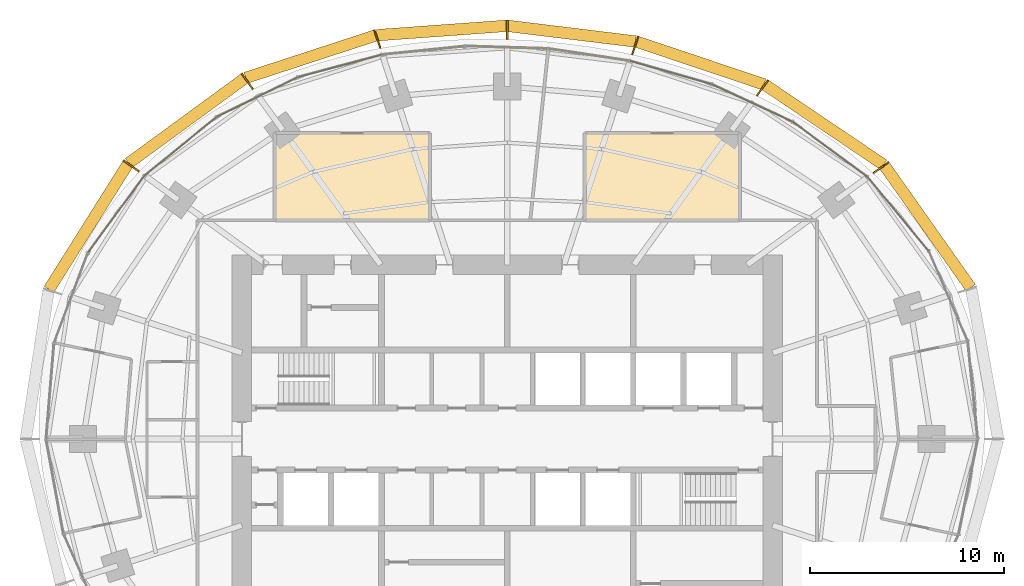
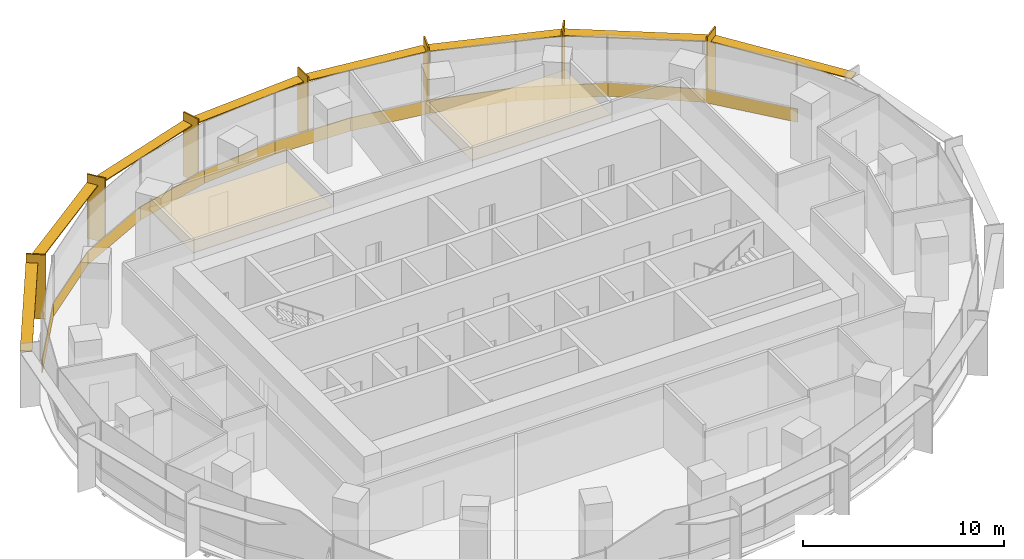
# One storey, part 14 of 14: 15 shading devices, 13 coverings.
"""IFC4 building model written with IfcOpenShell, lengths in metres."""

from ifc_helpers import new_model, si_unit, direction, frame, origin, origin_2d, place, context, subcontext, project, spatial, polyline, rectangle, outline, extrude, material, layer, layer_set, type_object, element, save


model = new_model("IFC4")

# Units and contexts
model_context = context("Model", 3, precision=1e-05, world=origin(), true_north=direction((0.0, 1.0)))
body_context = subcontext(model_context, "Body", "Model", "MODEL_VIEW")
ifc_project = project(units=[si_unit("LENGTHUNIT", "METRE"), si_unit("AREAUNIT", "SQUARE_METRE"), si_unit("VOLUMEUNIT", "CUBIC_METRE"), si_unit("PLANEANGLEUNIT", "RADIAN"), si_unit("MASSUNIT", "GRAM", prefix="KILO")], contexts=[model_context])

# Site, building, storey
site_placement = place(None, origin())
site = spatial("IfcSite", under=ifc_project, at=site_placement, CompositionType="ELEMENT")
building_placement = place(site_placement, origin())
building = spatial("IfcBuilding", under=site, at=building_placement, Name="Marramba Exchange Tower", CompositionType="ELEMENT")
storey_placement = place(building_placement, frame((0.0, 0.0, 179.89990234375)))
storey = spatial("IfcBuildingStorey", under=building, at=storey_placement, Name="L43", CompositionType="ELEMENT", Elevation=179.89990234375)

# Shading devices
ifc_material_1 = material(Name="Aluminium blade, timber-look bronze finish", Category="wood")
ifc_layer_1 = layer(ifc_material_1, 0.080078125)
ifc_layer_set_1 = layer_set([ifc_layer_1], Name="Floor-edge blade 1000x80")
shading_device_type_1 = type_object("IfcShadingDeviceType", Name="Floor-edge blade 1000x80", PredefinedType="USERDEFINED", material=ifc_layer_set_1)
for number, where, z_axis, x_axis, name in (
    (1, (19.298828125, 14.021484375, -0.159912109375), (0.0, 0.0, 1.0), (0.809016994375, 0.587785252292, 0.0), "Floor-edge blade FB1 L43 TC03"),
    (2, (13.176513671875, 18.135986328125, -0.159912109375), (0.0, 0.0, 1.0), (0.587785252292, 0.809016994375, 0.0), "Floor-edge blade FB1 L43 TC04"),
    (3, (6.605712890625, 20.330078125, -0.159912109375), (0.0, 0.0, 1.0), (0.309016994375, 0.951056516295, 0.0), "Floor-edge blade FB1 L43 TC05"),
    (4, (0.0, 21.13623046875, -0.159912109375), (0.0, 0.0, 1.0), (0.0, 1.0, 0.0), "Floor-edge blade FB1 L43 TC06"),
    (5, (-6.7119140625, 20.657470703125, -0.159912109375), (0.0, 0.0, 1.0), (-0.309016994375, 0.951056516295, 0.0), "Floor-edge blade FB1 L43 TC07"),
    (6, (-13.422607421875, 18.474609375, -0.159912109375), (0.0, 0.0, 1.0), (-0.587785252292, 0.809016994375, 0.0), "Floor-edge blade FB1 L43 TC08"),
    (7, (-19.4140625, 14.105224609375, -0.159912109375), (0.0, 0.0, 1.0), (-0.809016994375, 0.587785252292, 0.0), "Floor-edge blade FB1 L43 TC09"),
):
    element("IfcShadingDevice", number, at=place(storey_placement, frame(where, z_axis=z_axis, x_axis=x_axis)), inside=storey, type_object=shading_device_type_1, Name=name, ObjectType="FIN", PredefinedType="USERDEFINED", context=body_context, shape_type="SweptSolid", body=[
        extrude(rectangle(XDim=1.0, YDim=0.080078125, at=origin_2d()), origin(), (0.0, 0.0, 1.0), 3.89990234375),
    ])
ifc_material_2 = material(Name="Aluminium sunshade, bronze anodised", Category="aluminium")
ifc_layer_2 = layer(ifc_material_2, 0.06005859375)
ifc_layer_set_2 = layer_set([ifc_layer_2], Name="SUNSHADE blade 600x60")
shading_device_type_2 = type_object("IfcShadingDeviceType", Name="SUNSHADE blade 600x60", PredefinedType="USERDEFINED", material=ifc_layer_set_2)
shading_device_1_placement = place(storey_placement, frame((21.703857421875, 10.9599609375, 3.16015625), z_axis=(0.0, 0.0, 1.0), x_axis=(-0.576555118613, 0.81705825692, 0.0)))
element("IfcShadingDevice", 8, at=shading_device_1_placement, inside=storey, type_object=shading_device_type_2, Name="Sunshade SS1 L43 bay 02", ObjectType="SUNSHADE", PredefinedType="USERDEFINED", context=body_context, shape_type="SweptSolid", body=[
    extrude(rectangle(XDim=7.70166015625, YDim=0.60009765625, at=origin_2d()), origin(), (0.0, 0.0, 1.0), 0.06005859375),
])
shading_device_2_placement = place(storey_placement, frame((16.37744140625, 16.218505859375, 3.16015625), z_axis=(0.0, 0.0, 1.0), x_axis=(-0.829071447151, 0.559142679035, 0.0)))
element("IfcShadingDevice", 9, at=shading_device_2_placement, inside=storey, type_object=shading_device_type_2, Name="Sunshade SS1 L43 bay 03", ObjectType="SUNSHADE", PredefinedType="USERDEFINED", context=body_context, shape_type="SweptSolid", body=[
    extrude(rectangle(XDim=7.35791015625, YDim=0.60009765625, at=origin_2d()), origin(), (0.0, 0.0, 1.0), 0.06005859375),
])
shading_device_3_placement = place(storey_placement, frame((9.980712890625, 19.4091796875, 3.16015625), z_axis=(0.0, 0.0, 1.0), x_axis=(-0.948096437223, 0.317982933073, 0.0)))
element("IfcShadingDevice", 10, at=shading_device_3_placement, inside=storey, type_object=shading_device_type_2, Name="Sunshade SS1 L43 bay 04", ObjectType="SUNSHADE", PredefinedType="USERDEFINED", context=body_context, shape_type="SweptSolid", body=[
    extrude(rectangle(XDim=6.909423828125, YDim=0.60009765625, at=origin_2d()), origin(), (0.0, 0.0, 1.0), 0.06005859375),
])
shading_device_4_placement = place(storey_placement, frame((3.333740234375, 20.92822265625, 3.16015625), z_axis=(0.0, 0.0, 1.0), x_axis=(-0.992595256045, 0.121468751853, 0.0)))
element("IfcShadingDevice", 11, at=shading_device_4_placement, inside=storey, type_object=shading_device_type_2, Name="Sunshade SS1 L43 bay 05", ObjectType="SUNSHADE", PredefinedType="USERDEFINED", context=body_context, shape_type="SweptSolid", body=[
    extrude(rectangle(XDim=6.63720703125, YDim=0.60009765625, at=origin_2d()), origin(), (0.0, 0.0, 1.0), 0.06005859375),
])
shading_device_5_placement = place(storey_placement, frame((-3.386962890625, 21.092041015625, 3.16015625), z_axis=(0.0, 0.0, 1.0), x_axis=(-0.997407641713, -0.071958295234, 0.0)))
element("IfcShadingDevice", 12, at=shading_device_5_placement, inside=storey, type_object=shading_device_type_2, Name="Sunshade SS1 L43 bay 06", ObjectType="SUNSHADE", PredefinedType="USERDEFINED", context=body_context, shape_type="SweptSolid", body=[
    extrude(rectangle(XDim=6.71142578125, YDim=0.60009765625, at=origin_2d()), origin(), (0.0, 0.0, 1.0), 0.06005859375),
])
shading_device_6_placement = place(storey_placement, frame((-10.156982421875, 19.741943359375, 3.16015625), z_axis=(0.0, 0.0, 1.0), x_axis=(-0.950537602937, -0.310609506297, 0.0)))
element("IfcShadingDevice", 13, at=shading_device_6_placement, inside=storey, type_object=shading_device_type_2, Name="Sunshade SS1 L43 bay 07", ObjectType="SUNSHADE", PredefinedType="USERDEFINED", context=body_context, shape_type="SweptSolid", body=[
    extrude(rectangle(XDim=7.03857421875, YDim=0.60009765625, at=origin_2d()), origin(), (0.0, 0.0, 1.0), 0.06005859375),
])
shading_device_7_placement = place(storey_placement, frame((-16.55810546875, 16.4296875, 3.16015625), z_axis=(0.0, 0.0, 1.0), x_axis=(-0.80719390073, -0.59028637679, 0.0)))
element("IfcShadingDevice", 14, at=shading_device_7_placement, inside=storey, type_object=shading_device_type_2, Name="Sunshade SS1 L43 bay 08", ObjectType="SUNSHADE", PredefinedType="USERDEFINED", context=body_context, shape_type="SweptSolid", body=[
    extrude(rectangle(XDim=7.3974609375, YDim=0.60009765625, at=origin_2d()), origin(), (0.0, 0.0, 1.0), 0.06005859375),
])
shading_device_8_placement = place(storey_placement, frame((-21.62744140625, 10.958251953125, 3.16015625), z_axis=(0.0, 0.0, 1.0), x_axis=(-0.532082259983, -0.846692664792, 0.0)))
element("IfcShadingDevice", 15, at=shading_device_8_placement, inside=storey, type_object=shading_device_type_2, Name="Sunshade SS1 L43 bay 09", ObjectType="SUNSHADE", PredefinedType="USERDEFINED", context=body_context, shape_type="SweptSolid", body=[
    extrude(rectangle(XDim=7.631103515625, YDim=0.60009765625, at=origin_2d()), origin(), (0.0, 0.0, 1.0), 0.06005859375),
])

# Coverings
ifc_material_3 = material(Name="Aluminium spandrel panel, bronze anodised, insulated", Category="aluminium")
ifc_layer_3 = layer(ifc_material_3, 0.050048828125)
ifc_layer_set_3 = layer_set([ifc_layer_3], Name="Spandrel panel 800")
covering_type_1 = type_object("IfcCoveringType", Name="Spandrel panel 800", PredefinedType="CLADDING", material=ifc_layer_set_3)
covering_1_placement = place(storey_placement, frame((20.193603515625, 11.608642578125, 0.0), z_axis=(0.0, 0.0, 1.0), x_axis=(-0.637350224586, 0.770574260678, 0.0)))
element("IfcCovering", 16, at=covering_1_placement, inside=storey, type_object=covering_type_1, Name="Spandrel panel SP1 L43 F03", PredefinedType="CLADDING", context=body_context, shape_type="SweptSolid", body=[
    extrude(rectangle(XDim=4.9658203125, YDim=0.050048828125, at=origin_2d()), origin(), (0.0, 0.0, 1.0), 0.800048828125),
])
covering_2_placement = place(storey_placement, frame((16.677001953125, 14.94775390625, 0.0), z_axis=(0.0, 0.0, 1.0), x_axis=(-0.804877256733, 0.593441321104, 0.0)))
element("IfcCovering", 17, at=covering_2_placement, inside=storey, type_object=covering_type_1, Name="Spandrel panel SP1 L43 F04", PredefinedType="CLADDING", context=body_context, shape_type="SweptSolid", body=[
    extrude(rectangle(XDim=4.805908203125, YDim=0.050048828125, at=origin_2d()), origin(), (0.0, 0.0, 1.0), 0.800048828125),
])
covering_3_placement = place(storey_placement, frame((12.65869140625, 17.344482421875, 0.0), z_axis=(0.0, 0.0, 1.0), x_axis=(-0.906533903661, 0.422133014005, 0.0)))
element("IfcCovering", 18, at=covering_3_placement, inside=storey, type_object=covering_type_1, Name="Spandrel panel SP1 L43 F05", PredefinedType="CLADDING", context=body_context, shape_type="SweptSolid", body=[
    extrude(rectangle(XDim=4.5986328125, YDim=0.050048828125, at=origin_2d()), origin(), (0.0, 0.0, 1.0), 0.800048828125),
])
covering_4_placement = place(storey_placement, frame((8.45849609375, 18.91845703125, 0.0), z_axis=(0.0, 0.0, 1.0), x_axis=(-0.961658952783, 0.274248169607, 0.0)))
element("IfcCovering", 19, at=covering_4_placement, inside=storey, type_object=covering_type_1, Name="Spandrel panel SP1 L43 F06", PredefinedType="CLADDING", context=body_context, shape_type="SweptSolid", body=[
    extrude(rectangle(XDim=4.39990234375, YDim=0.050048828125, at=origin_2d()), origin(), (0.0, 0.0, 1.0), 0.800048828125),
])
covering_5_placement = place(storey_placement, frame((4.230712890625, 19.839599609375, 0.0), z_axis=(0.0, 0.0, 1.0), x_axis=(-0.988868065308, 0.148794991224, 0.0)))
element("IfcCovering", 20, at=covering_5_placement, inside=storey, type_object=covering_type_1, Name="Spandrel panel SP1 L43 F07", PredefinedType="CLADDING", context=body_context, shape_type="SweptSolid", body=[
    extrude(rectangle(XDim=4.27197265625, YDim=0.050048828125, at=origin_2d()), origin(), (0.0, 0.0, 1.0), 0.800048828125),
])
covering_6_placement = place(storey_placement, frame((-0.0068359375, 20.221923828125, 0.0), z_axis=(0.0, 0.0, 1.0), x_axis=(-0.999537999985, 0.030393857689, 0.0)))
element("IfcCovering", 21, at=covering_6_placement, inside=storey, type_object=covering_type_1, Name="Spandrel panel SP1 L43 F08", PredefinedType="CLADDING", context=body_context, shape_type="SweptSolid", body=[
    extrude(rectangle(XDim=4.252685546875, YDim=0.050048828125, at=origin_2d()), origin(), (0.0, 0.0, 1.0), 0.800048828125),
])
covering_7_placement = place(storey_placement, frame((-4.290771484375, 20.06787109375, 0.0), z_axis=(0.0, 0.0, 1.0), x_axis=(-0.994900357732, -0.10086266993, 0.0)))
element("IfcCovering", 22, at=covering_7_placement, inside=storey, type_object=covering_type_1, Name="Spandrel panel SP1 L43 F09", PredefinedType="CLADDING", context=body_context, shape_type="SweptSolid", body=[
    extrude(rectangle(XDim=4.33935546875, YDim=0.050048828125, at=origin_2d()), origin(), (0.0, 0.0, 1.0), 0.800048828125),
])
covering_8_placement = place(storey_placement, frame((-8.620361328125, 19.27001953125, 0.0), z_axis=(0.0, 0.0, 1.0), x_axis=(-0.966240651433, -0.257641230237, 0.0)))
element("IfcCovering", 23, at=covering_8_placement, inside=storey, type_object=covering_type_1, Name="Spandrel panel SP1 L43 F10", PredefinedType="CLADDING", context=body_context, shape_type="SweptSolid", body=[
    extrude(rectangle(XDim=4.49365234375, YDim=0.050048828125, at=origin_2d()), origin(), (0.0, 0.0, 1.0), 0.800048828125),
])
covering_9_placement = place(storey_placement, frame((-12.88818359375, 17.666748046875, 0.0), z_axis=(0.0, 0.0, 1.0), x_axis=(-0.898500520314, -0.438972453572, 0.0)))
element("IfcCovering", 24, at=covering_9_placement, inside=storey, type_object=covering_type_1, Name="Spandrel panel SP1 L43 F11", PredefinedType="CLADDING", context=body_context, shape_type="SweptSolid", body=[
    extrude(rectangle(XDim=4.667236328125, YDim=0.050048828125, at=origin_2d()), origin(), (0.0, 0.0, 1.0), 0.800048828125),
])
covering_10_placement = place(storey_placement, frame((-16.855712890625, 15.1240234375, 0.0), z_axis=(0.0, 0.0, 1.0), x_axis=(-0.776432169123, -0.630200830491, 0.0)))
element("IfcCovering", 25, at=covering_10_placement, inside=storey, type_object=covering_type_1, Name="Spandrel panel SP1 L43 F12", PredefinedType="CLADDING", context=body_context, shape_type="SweptSolid", body=[
    extrude(rectangle(XDim=4.81884765625, YDim=0.050048828125, at=origin_2d()), origin(), (0.0, 0.0, 1.0), 0.800048828125),
])
covering_11_placement = place(storey_placement, frame((-20.184326171875, 11.62060546875, 0.0), z_axis=(0.0, 0.0, 1.0), x_axis=(-0.591962919465, -0.805965198987, 0.0)))
element("IfcCovering", 26, at=covering_11_placement, inside=storey, type_object=covering_type_1, Name="Spandrel panel SP1 L43 F13", PredefinedType="CLADDING", context=body_context, shape_type="SweptSolid", body=[
    extrude(rectangle(XDim=4.925537109375, YDim=0.050048828125, at=origin_2d()), origin(), (0.0, 0.0, 1.0), 0.800048828125),
])
ifc_material_4 = material(Name="Mineral fibre ceiling tiles", Category="gypsum")
ifc_layer_4 = layer(ifc_material_4, 0.02001953125)
ifc_layer_set_4 = layer_set([ifc_layer_4], Name="Suspended ceiling 20")
covering_type_2 = type_object("IfcCoveringType", Name="Suspended ceiling 20", PredefinedType="CEILING", material=ifc_layer_set_4)
covering_12_placement = place(storey_placement, frame((0.0, 0.0, 2.900146484375)))
element("IfcCovering", 27, at=covering_12_placement, inside=storey, type_object=covering_type_2, Name="Ceiling CL1 L43 Meeting Room 1", PredefinedType="CEILING", context=body_context, shape_type="SweptSolid", body=[
    extrude(outline(polyline([(12.0, 11.300048828125), (4.0, 11.300048828125), (4.0, 15.800048828125), (12.0, 15.800048828125), (12.0, 11.300048828125)])), origin(), (0.0, 0.0, 1.0), 0.02001953125),
])
covering_13_placement = place(storey_placement, frame((0.0, 0.0, 2.900146484375)))
element("IfcCovering", 28, at=covering_13_placement, inside=storey, type_object=covering_type_2, Name="Ceiling CL1 L43 Meeting Room 3", PredefinedType="CEILING", context=body_context, shape_type="SweptSolid", body=[
    extrude(outline(polyline([(-4.0, 11.300048828125), (-12.0, 11.300048828125), (-12.0, 15.800048828125), (-4.0, 15.800048828125), (-4.0, 11.300048828125)])), origin(), (0.0, 0.0, 1.0), 0.02001953125),
])

save(model, "model.ifc")
